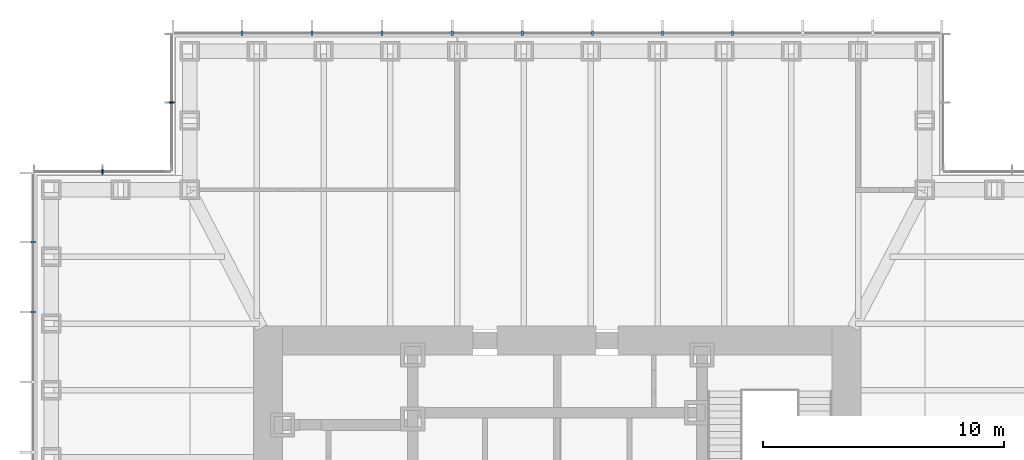
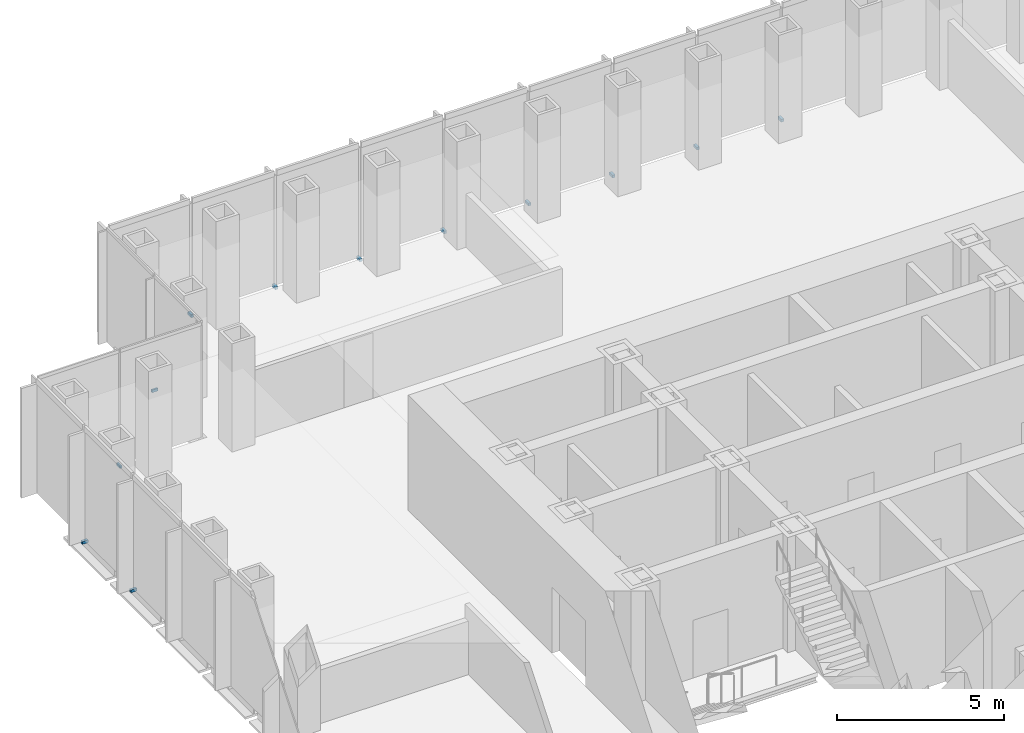
# One storey, part 14 of 16: 12 discrete accessories.
"""IFC4 building model written with IfcOpenShell, lengths in metres."""

import ifcopenshell
import ifcopenshell.guid

model = None  # the IFC model being written
_history = None  # IfcOwnerHistory: only IFC2X3 demands one
_inside = {}  # id of a spatial element -> (the spatial element, [elements in it])
_under = {}  # id of a project, library or spatial element -> (it, [spatial elements below it])
_declared = {}  # id of a project -> (the project, [libraries it declares])
_typed = {}  # id of a type object -> (the type object, [elements of that type])
_made_of = {}  # id of a material, layer set ... -> (it, [elements and type objects made of it])


def new_model(schema):
    """Start an empty IFC model of exactly this schema.

    Asked for "IFC4X3", IfcOpenShell would pick the latest addendum, in which some entities
    have other attributes; the version numbers below select the first issue.
    IFC2X3 requires an IfcOwnerHistory on every rooted entity: one is made here for all.
    """
    global model, _history
    if schema == "IFC4X3":
        model = ifcopenshell.file(schema_version=(4, 3, 0, 0))
    else:
        model = ifcopenshell.file(schema=schema)
    _inside.clear()
    _under.clear()
    _declared.clear()
    _typed.clear()
    _made_of.clear()
    _history = None
    if model.schema == "IFC2X3":
        org = make("IfcOrganization", Name="unknown")
        user = make(
            "IfcPersonAndOrganization",
            ThePerson=make("IfcPerson", FamilyName="unknown"),
            TheOrganization=org,
        )
        app = make(
            "IfcApplication",
            ApplicationDeveloper=org,
            Version="unknown",
            ApplicationFullName="unknown",
            ApplicationIdentifier="unknown",
        )
        _history = make(
            "IfcOwnerHistory",
            OwningUser=user,
            OwningApplication=app,
            ChangeAction="ADDED",
            CreationDate=0,
        )
    return model


def make(cls, **values):
    """One entity of the class cls with the attributes given. An attribute that is None is left unset."""
    return model.create_entity(
        cls, **{name: value for name, value in values.items() if value is not None}
    )


def rooted(cls, **values):
    """An entity with a GlobalId (a new one), such as an element, a storey or a relation."""
    return make(cls, GlobalId=ifcopenshell.guid.new(), OwnerHistory=_history, **values)


def si_unit(unit_type, name, prefix=None):
    """IfcSIUnit, for example si_unit("LENGTHUNIT", "METRE", prefix="MILLI")."""
    return make("IfcSIUnit", UnitType=unit_type, Prefix=prefix, Name=name)


def assignment(units):
    """IfcUnitAssignment: the units of a project."""
    return None if units is None else make("IfcUnitAssignment", Units=units)


def point(xyz):
    """IfcCartesianPoint."""
    return None if xyz is None else make("IfcCartesianPoint", Coordinates=xyz)


def direction(xyz):
    """IfcDirection."""
    return None if xyz is None else make("IfcDirection", DirectionRatios=xyz)


def frame(location, z_axis=None, x_axis=None):
    """IfcAxis2Placement3D, a coordinate frame: its origin and axes. An axis left out is left unset."""
    return make(
        "IfcAxis2Placement3D",
        Location=point(location),
        Axis=direction(z_axis),
        RefDirection=direction(x_axis),
    )


def frame_2d(location, x_axis=None):
    """IfcAxis2Placement2D, a coordinate frame in the plane: its origin and x axis."""
    return make(
        "IfcAxis2Placement2D", Location=point(location), RefDirection=direction(x_axis)
    )


def origin():
    """The frame at (0, 0, 0) with its axes left unset."""
    return frame((0.0, 0.0, 0.0))


def origin_2d():
    """The frame at (0, 0) in the plane with its x axis left unset."""
    return frame_2d((0.0, 0.0))


def place(relative_to, where):
    """IfcLocalPlacement: puts the frame where relative to a parent placement (None: the world)."""
    return make(
        "IfcLocalPlacement", PlacementRelTo=relative_to, RelativePlacement=where
    )


def context(
    kind, dimensions, precision=None, world=None, true_north=None, identifier=None
):
    """IfcGeometricRepresentationContext, for example the 3D "Model" context."""
    return make(
        "IfcGeometricRepresentationContext",
        ContextIdentifier=identifier,
        ContextType=kind,
        CoordinateSpaceDimension=dimensions,
        Precision=precision,
        WorldCoordinateSystem=world,
        TrueNorth=true_north,
    )


def subcontext(parent, identifier, kind, view, scale=None):
    """IfcGeometricRepresentationSubContext, for example "Body" below "Model"."""
    return make(
        "IfcGeometricRepresentationSubContext",
        ContextIdentifier=identifier,
        ContextType=kind,
        ParentContext=parent,
        TargetScale=scale,
        TargetView=view,
    )


def project(units=None, contexts=None):
    """IfcProject with its units and contexts."""
    return rooted(
        "IfcProject",
        Name="project",
        RepresentationContexts=contexts,
        UnitsInContext=assignment(units),
    )


def spatial(cls, under=None, at=None, **own):
    """A site, building, storey or space (cls), placed at a placement, below another one or the project."""
    s = rooted(cls, ObjectPlacement=at, **own)
    if under is not None:
        _under.setdefault(under.id(), (under, []))[1].append(s)
    return s


def profile(cls, at=None, kind="AREA", **sizes):
    """A parametric profile (cls). Its sizes go by their IFC names, for example OverallWidth=200.0."""
    return make(cls, ProfileType=kind, Position=at, **sizes)


def rectangle(**sizes):
    """IfcRectangleProfileDef."""
    return profile("IfcRectangleProfileDef", **sizes)


def extrude(swept, where, along, depth):
    """IfcExtrudedAreaSolid: the profile swept, set in the frame where, extruded along a direction by depth."""
    return make(
        "IfcExtrudedAreaSolid",
        SweptArea=swept,
        Position=where,
        ExtrudedDirection=direction(along),
        Depth=depth,
    )


def shape(context_of_items, identifier, shape_type, items):
    """IfcShapeRepresentation: the items that make up one representation, for example the "Body"."""
    return make(
        "IfcShapeRepresentation",
        ContextOfItems=context_of_items,
        RepresentationIdentifier=identifier,
        RepresentationType=shape_type,
        Items=items,
    )


def made_of(thing, what):
    """Note that an element or type object is made of a material, layer set ...; save() writes the relation."""
    if what is not None:
        _made_of.setdefault(what.id(), (what, []))[1].append(thing)
    return thing


def element(
    cls,
    number,
    at=None,
    inside=None,
    cuts=None,
    type_object=None,
    material=None,
    context=None,
    identifier="Body",
    shape_type=None,
    held_by="IfcProductDefinitionShape",
    body=None,
    shapes=None,
    **own,
):
    """One element of the class cls, such as IfcWall. Its Tag is "e" and its number.

    at: its placement. inside: the storey or other place that contains it. cuts: it is an
    opening in that element (IfcRelVoidsElement). A single representation is given by context,
    identifier, shape_type and body (its items); several are given by shapes. held_by: the class
    of the entity that holds the representations. save() writes the other relations.
    """
    e = rooted(cls, Tag="e%d" % number, ObjectPlacement=at, **own)
    if body is not None:
        shapes = [shape(context, identifier, shape_type, body)]
    if shapes is not None:
        e.Representation = make(held_by, Representations=shapes)
    if inside is not None:
        _inside.setdefault(inside.id(), (inside, []))[1].append(e)
    if cuts is not None:
        rooted(
            "IfcRelVoidsElement", RelatingBuildingElement=cuts, RelatedOpeningElement=e
        )
    if type_object is not None:
        _typed.setdefault(type_object.id(), (type_object, []))[1].append(e)
    return made_of(e, material)


def aggregate(whole, parts):
    """IfcRelAggregates: a whole, such as a stair, and the parts it consists of."""
    return rooted("IfcRelAggregates", RelatingObject=whole, RelatedObjects=parts)


def save(model, path):
    """Write the relations noted so far, then the file.

    IfcRelAggregates (storeys below a building ...), IfcRelContainedInSpatialStructure (elements
    in a storey), IfcRelDefinesByType, IfcRelAssociatesMaterial and IfcRelDeclares: one each for
    every whole, place, type object, material and project.
    """
    for whole, parts in _under.values():
        aggregate(whole, parts)
    for where, things in _inside.values():
        rooted(
            "IfcRelContainedInSpatialStructure",
            RelatedElements=things,
            RelatingStructure=where,
        )
    for kind, things in _typed.values():
        rooted("IfcRelDefinesByType", RelatedObjects=things, RelatingType=kind)
    for what, things in _made_of.values():
        rooted("IfcRelAssociatesMaterial", RelatedObjects=things, RelatingMaterial=what)
    for by, libraries in _declared.values():
        rooted("IfcRelDeclares", RelatingContext=by, RelatedDefinitions=libraries)
    model.write(path)


model = new_model("IFC4")

# Units and contexts
model_context = context("Model", 3, precision=1e-05, world=origin(), true_north=direction((0.0, 1.0)))
body_context = subcontext(model_context, "Body", "Model", "MODEL_VIEW")
ifc_project = project(units=[si_unit("LENGTHUNIT", "METRE"), si_unit("AREAUNIT", "SQUARE_METRE"), si_unit("VOLUMEUNIT", "CUBIC_METRE"), si_unit("PLANEANGLEUNIT", "RADIAN"), si_unit("MASSUNIT", "GRAM", prefix="KILO")], contexts=[model_context])

# Site, building, storey
site_placement = place(None, origin())
site = spatial("IfcSite", under=ifc_project, at=site_placement, CompositionType="ELEMENT")
building_placement = place(site_placement, origin())
building = spatial("IfcBuilding", under=site, at=building_placement, Name="Daluyong Arena Tower", CompositionType="ELEMENT")
storey_placement = place(building_placement, frame((0.0, 0.0, 275.5)))
storey = spatial("IfcBuildingStorey", under=building, at=storey_placement, Name="L62", CompositionType="ELEMENT", Elevation=275.5)

# Discrete accessories
for number, where, z_axis, x_axis, name in (
    (1, (63.272705078125, 101.75, -0.10009765625), (0.0, 0.0, 1.0), (-1.0, 0.0, 0.0), "curtain wall L62 N anchor bracket 4"),
    (2, (60.363525390625, 101.75, -0.10009765625), (0.0, 0.0, 1.0), (-1.0, 0.0, 0.0), "curtain wall L62 N anchor bracket 5"),
    (3, (57.45458984375, 101.75, -0.10009765625), (0.0, 0.0, 1.0), (-1.0, 0.0, 0.0), "curtain wall L62 N anchor bracket 6"),
    (4, (54.54541015625, 101.75, -0.10009765625), (0.0, 0.0, 1.0), (-1.0, 0.0, 0.0), "curtain wall L62 N anchor bracket 7"),
    (5, (51.636474609375, 101.75, -0.10009765625), (0.0, 0.0, 1.0), (-1.0, 0.0, 0.0), "curtain wall L62 N anchor bracket 8"),
    (6, (48.727294921875, 101.75, -0.10009765625), (0.0, 0.0, 1.0), (-1.0, 0.0, 0.0), "curtain wall L62 N anchor bracket 9"),
    (7, (45.818115234375, 101.75, -0.10009765625), (0.0, 0.0, 1.0), (-1.0, 0.0, 0.0), "curtain wall L62 N anchor bracket 10"),
    (8, (42.9091796875, 101.75, -0.10009765625), (0.0, 0.0, 1.0), (-1.0, 0.0, 0.0), "curtain wall L62 N anchor bracket 11"),
):
    element("IfcDiscreteAccessory", number, at=place(storey_placement, frame(where, z_axis=z_axis, x_axis=x_axis)), inside=storey, Name=name, PredefinedType="BRACKET", context=body_context, shape_type="SweptSolid", body=[
        extrude(rectangle(XDim=0.090087890625, YDim=0.199951171875, at=origin_2d()), origin(), (0.0, 0.0, 1.0), 0.10009765625),
    ])
for number, where, z_axis, x_axis, name in (
    (9, (40.0, 98.875, -0.10009765625), (0.0, 0.0, 1.0), (0.0, -1.0, 0.0), "curtain wall L62 NW-W anchor bracket 2"),
    (10, (37.125, 96.0, -0.10009765625), (0.0, 0.0, 1.0), (-1.0, 0.0, 0.0), "curtain wall L62 NW-N anchor bracket 2"),
):
    element("IfcDiscreteAccessory", number, at=place(storey_placement, frame(where, z_axis=z_axis, x_axis=x_axis)), inside=storey, Name=name, PredefinedType="BRACKET", context=body_context, shape_type="SweptSolid", body=[
        extrude(rectangle(XDim=0.06005859375, YDim=0.199951171875, at=origin_2d()), origin(), (0.0, 0.0, 1.0), 0.10009765625),
    ])
for number, where, z_axis, x_axis, name in (
    (11, (34.25, 93.0908203125, -0.10009765625), (0.0, 0.0, 1.0), (0.0, -1.0, 0.0), "curtain wall L62 W anchor bracket 2"),
    (12, (34.25, 90.181884765625, -0.10009765625), (0.0, 0.0, 1.0), (0.0, -1.0, 0.0), "curtain wall L62 W anchor bracket 3"),
):
    element("IfcDiscreteAccessory", number, at=place(storey_placement, frame(where, z_axis=z_axis, x_axis=x_axis)), inside=storey, Name=name, PredefinedType="BRACKET", context=body_context, shape_type="SweptSolid", body=[
        extrude(rectangle(XDim=0.090087890625, YDim=0.199951171875, at=origin_2d()), origin(), (0.0, 0.0, 1.0), 0.10009765625),
    ])

save(model, "model.ifc")
